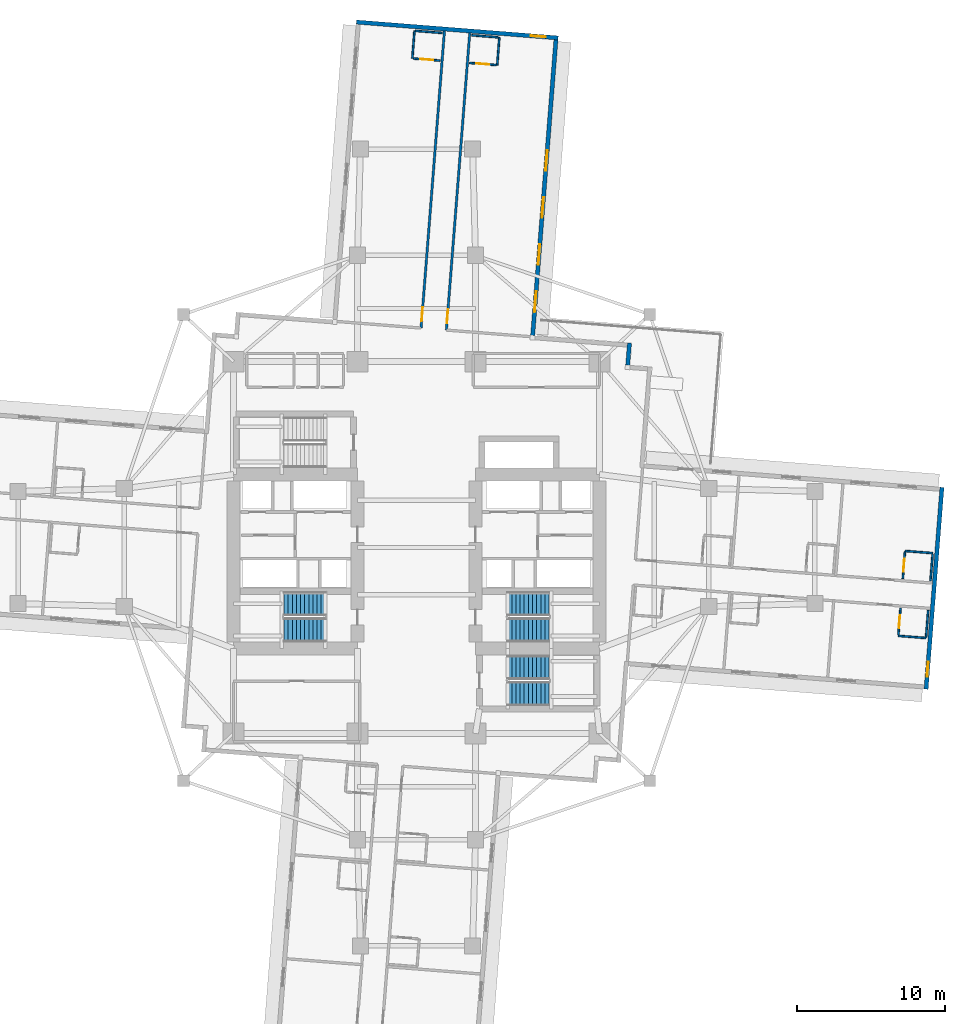
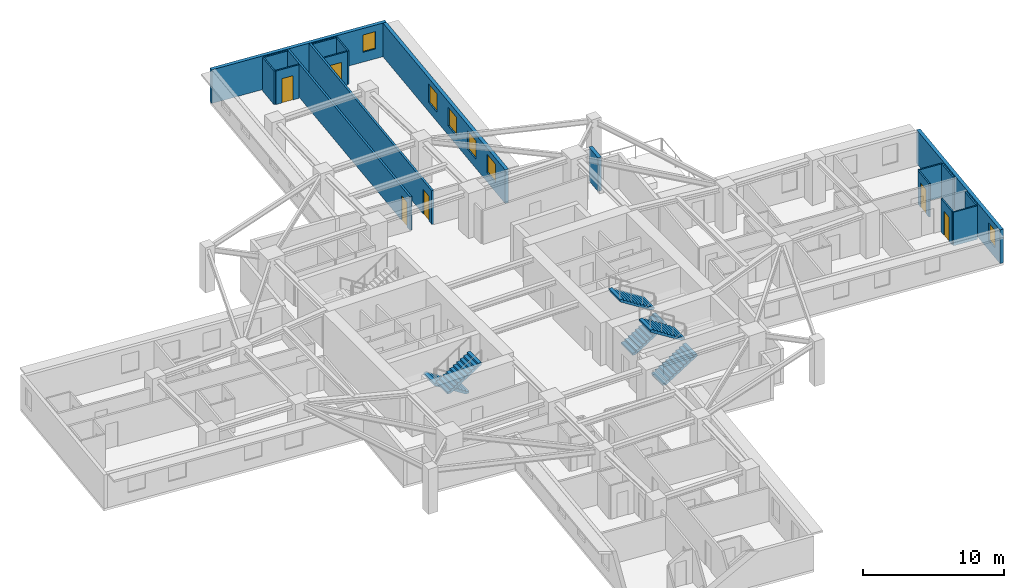
# One storey, part 8 of 14: 18 walls, 6 doors, 6 stair flights, 6 windows, 12 openings, 3 elements without a shape of their own.
"""IFC4 building model written with IfcOpenShell, lengths in metres."""

from ifc_helpers import new_model, si_unit, direction, frame, frame_2d, origin, place, context, subcontext, project, spatial, polyline, rectangle, outline, extrude, material, layer, layer_set, type_object, element, fill, aggregate, save


model = new_model("IFC4")

# Units and contexts
model_context = context("Model", 3, precision=1e-05, world=origin(), true_north=direction((0.0, 1.0)))
body_context = subcontext(model_context, "Body", "Model", "MODEL_VIEW")
ifc_project = project(units=[si_unit("LENGTHUNIT", "METRE"), si_unit("AREAUNIT", "SQUARE_METRE"), si_unit("VOLUMEUNIT", "CUBIC_METRE"), si_unit("PLANEANGLEUNIT", "RADIAN"), si_unit("MASSUNIT", "GRAM", prefix="KILO")], contexts=[model_context])

# Site, building, storey
site_placement = place(None, origin())
site = spatial("IfcSite", under=ifc_project, at=site_placement, CompositionType="ELEMENT")
building_placement = place(site_placement, origin())
building = spatial("IfcBuilding", under=site, at=building_placement, Name="Qingluan Cross Belvedere", CompositionType="ELEMENT")
storey_placement = place(building_placement, frame((0.0, 0.0, 83.39990234375)))
storey = spatial("IfcBuildingStorey", under=building, at=storey_placement, Name="L21", CompositionType="ELEMENT", Elevation=83.39990234375)

# Wall, opening, door
ifc_material_1 = material(Name="Gypsum plasterboard on steel stud acoustic partition", Category="steel")
ifc_layer_1 = layer(ifc_material_1, 0.159912109375, Name="CorridorPartition_160")
ifc_layer_set_1 = layer_set([ifc_layer_1], Name="Gypsum plasterboard on steel stud acoustic partition")
wall_type_1 = type_object("IfcWallType", Name="CorridorPartition_160", PredefinedType="PARTITIONING", material=ifc_layer_set_1)
wall_1_placement = place(storey_placement, frame((2.0224609375, 14.73681640625, 0.0), z_axis=(0.0, 0.0, 1.0), x_axis=(0.078461408156, 0.996917151738, 0.0)))
wall_1 = element("IfcWall", 1, at=wall_1_placement, inside=storey, type_object=wall_type_1, Name="Partition L21:N:c0", PredefinedType="PARTITIONING", context=body_context, shape_type="SweptSolid", body=[
    extrude(rectangle(XDim=20.181884765625, YDim=0.159912109375, at=frame_2d((10.0908203125, 0.0))), origin(), (0.0, 0.0, 1.0), 2.900146484375),
])
opening_1_placement = place(wall_1_placement, frame((0.449951171875, 0.0, 0.0)))
opening_1 = element("IfcOpeningElement", 2, at=opening_1_placement, cuts=wall_1, Name="Opening GD-10", PredefinedType="OPENING", context=body_context, shape_type="SweptSolid", body=[
    extrude(rectangle(XDim=0.9599609375, YDim=2.14990234375, at=frame_2d((0.47998046875, 1.074951171875))), frame((0.0, 0.08984375, 0.0), z_axis=(0.0, -1.0, 0.0), x_axis=(1.0, 0.0, 0.0)), (0.0, 0.0, 1.0), 0.179931640625),
])
ifc_material_2 = material(Name="Timber oak fire-rated acoustic guestroom door", Category="wood")
door_type_1 = type_object("IfcDoorType", Name="GuestEntryDoor_FD60", OperationType="NOTDEFINED", PredefinedType="DOOR", material=ifc_material_2)
door_1_placement = place(opening_1_placement, origin())
door_1 = element("IfcDoor", 3, at=door_1_placement, inside=storey, type_object=door_type_1, Name="Guest entry fire door 2111", OperationType="SINGLE_SWING_LEFT", OverallHeight=2.14990234375, OverallWidth=0.9599609375, PredefinedType="DOOR", context=body_context, shape_type="SweptSolid", body=[
    extrude(rectangle(XDim=0.9599609375, YDim=2.14990234375, at=frame_2d((0.47998046875, 1.074951171875))), frame((0.0, 0.02490234375, 0.0), z_axis=(0.0, -1.0, 0.0), x_axis=(1.0, 0.0, 0.0)), (0.0, 0.0, 1.0), 0.050048828125),
])
fill(opening_1, door_1)

wall_2_placement = place(storey_placement, frame((0.307861328125, 14.87158203125, 0.0), z_axis=(0.0, 0.0, 1.0), x_axis=(0.0784484395, 0.996918172339, 0.0)))
wall_2 = element("IfcWall", 4, at=wall_2_placement, inside=storey, type_object=wall_type_1, Name="Partition L21:N:c1", PredefinedType="PARTITIONING", context=body_context, shape_type="SweptSolid", body=[
    extrude(rectangle(XDim=20.18212890625, YDim=0.159912109375, at=frame_2d((10.091064453125, 0.0))), origin(), (0.0, 0.0, 1.0), 2.900146484375),
])
opening_2_placement = place(wall_2_placement, frame((0.449951171875, 0.0, 0.0)))
opening_2 = element("IfcOpeningElement", 5, at=opening_2_placement, cuts=wall_2, Name="Opening GD-10", PredefinedType="OPENING", context=body_context, shape_type="SweptSolid", body=[
    extrude(rectangle(XDim=0.9599609375, YDim=2.14990234375, at=frame_2d((0.47998046875, 1.074951171875))), frame((0.0, 0.08984375, 0.0), z_axis=(0.0, -1.0, 0.0), x_axis=(1.0, 0.0, 0.0)), (0.0, 0.0, 1.0), 0.179931640625),
])
door_2_placement = place(opening_2_placement, origin())
door_2 = element("IfcDoor", 6, at=door_2_placement, inside=storey, type_object=door_type_1, Name="Guest entry fire door 2112", OperationType="SINGLE_SWING_LEFT", OverallHeight=2.14990234375, OverallWidth=0.9599609375, PredefinedType="DOOR", context=body_context, shape_type="SweptSolid", body=[
    extrude(rectangle(XDim=0.9599609375, YDim=2.14990234375, at=frame_2d((0.47998046875, 1.074951171875))), frame((0.0, 0.02490234375, 0.0), z_axis=(0.0, -1.0, 0.0), x_axis=(1.0, 0.0, 0.0)), (0.0, 0.0, 1.0), 0.050048828125),
])
fill(opening_2, door_2)

ifc_material_3 = material(Name="Moisture-resistant gypsum board lining")
ifc_layer_2 = layer(ifc_material_3, 0.1201171875, Name="EnsuiteWetPartition_120")
ifc_layer_set_2 = layer_set([ifc_layer_2], Name="Moisture-resistant gypsum board lining")
wall_type_2 = type_object("IfcWallType", Name="EnsuiteWetPartition_120", PredefinedType="PARTITIONING", material=ifc_layer_set_2)
wall_3_placement = place(storey_placement, frame((32.955810546875, -2.1123046875, 0.0), z_axis=(0.0, 0.0, 1.0), x_axis=(0.0784709492, 0.996916400774, 0.0)))
wall_3 = element("IfcWall", 7, at=wall_3_placement, inside=storey, type_object=wall_type_2, Name="Partition L21:E:bs0_2", PredefinedType="PARTITIONING", context=body_context, shape_type="SweptSolid", body=[
    extrude(rectangle(XDim=1.820068359375, YDim=0.1201171875, at=frame_2d((0.91015625, 0.0))), origin(), (0.0, 0.0, 1.0), 2.900146484375),
])
opening_3_placement = place(wall_3_placement, frame((0.469970703125, 0.0, 0.0)))
opening_3 = element("IfcOpeningElement", 8, at=opening_3_placement, cuts=wall_3, Name="Opening BD-09", PredefinedType="OPENING", context=body_context, shape_type="SweptSolid", body=[
    extrude(rectangle(XDim=0.8798828125, YDim=2.10009765625, at=frame_2d((0.43994140625, 1.050048828125))), frame((0.0, 0.070068359375, 0.0), z_axis=(0.0, -1.0, 0.0), x_axis=(1.0, 0.0, 0.0)), (0.0, 0.0, 1.0), 0.14013671875),
])
ifc_material_4 = material(Name="Moisture-sealed timber en-suite door", Category="wood")
door_type_2 = type_object("IfcDoorType", Name="BathroomDoor_880", OperationType="NOTDEFINED", PredefinedType="DOOR", material=ifc_material_4)
door_3_placement = place(opening_3_placement, origin())
door_3 = element("IfcDoor", 9, at=door_3_placement, inside=storey, type_object=door_type_2, Name="Bathroom door 2103", OperationType="SINGLE_SWING_RIGHT", OverallHeight=2.10009765625, OverallWidth=0.8798828125, PredefinedType="DOOR", context=body_context, shape_type="SweptSolid", body=[
    extrude(rectangle(XDim=0.8798828125, YDim=2.10009765625, at=frame_2d((0.43994140625, 1.050048828125))), frame((0.0, 0.02490234375, 0.0), z_axis=(0.0, -1.0, 0.0), x_axis=(1.0, 0.0, 0.0)), (0.0, 0.0, 1.0), 0.050048828125),
])
fill(opening_3, door_3)

# Walls
wall_4_placement = place(storey_placement, frame((34.830078125, -2.259765625, 0.0), z_axis=(0.0, 0.0, 1.0), x_axis=(0.0784709492, 0.996916400774, 0.0)))
element("IfcWall", 10, at=wall_4_placement, inside=storey, type_object=wall_type_2, Name="Partition L21:E:bw0_2", PredefinedType="PARTITIONING", context=body_context, shape_type="SweptSolid", body=[
    extrude(rectangle(XDim=1.820068359375, YDim=0.1201171875, at=frame_2d((0.91015625, 0.0))), origin(), (0.0, 0.0, 1.0), 2.900146484375),
])
wall_5_placement = place(storey_placement, frame((33.103759765625, -0.23291015625, 0.0), z_axis=(0.0, 0.0, 1.0), x_axis=(0.996909131608, -0.078563244057, 0.0)))
element("IfcWall", 11, at=wall_5_placement, inside=storey, type_object=wall_type_2, Name="Partition L21:E:bn0_2", PredefinedType="PARTITIONING", context=body_context, shape_type="SweptSolid", body=[
    extrude(rectangle(XDim=1.880126953125, YDim=0.1201171875, at=frame_2d((0.93994140625, 0.0))), origin(), (0.0, 0.0, 1.0), 2.900146484375),
])

# Wall, opening, door
wall_6_placement = place(storey_placement, frame((32.65625, -5.92041015625, 0.0), z_axis=(0.0, 0.0, 1.0), x_axis=(0.0784709492, 0.996916400774, 0.0)))
wall_6 = element("IfcWall", 12, at=wall_6_placement, inside=storey, type_object=wall_type_2, Name="Partition L21:E:bs1_2", PredefinedType="PARTITIONING", context=body_context, shape_type="SweptSolid", body=[
    extrude(rectangle(XDim=1.820068359375, YDim=0.1201171875, at=frame_2d((0.91015625, 0.0))), origin(), (0.0, 0.0, 1.0), 2.900146484375),
])
opening_4_placement = place(wall_6_placement, frame((0.469970703125, 0.0, 0.0)))
opening_4 = element("IfcOpeningElement", 13, at=opening_4_placement, cuts=wall_6, Name="Opening BD-09", PredefinedType="OPENING", context=body_context, shape_type="SweptSolid", body=[
    extrude(rectangle(XDim=0.8798828125, YDim=2.10009765625, at=frame_2d((0.43994140625, 1.050048828125))), frame((0.0, 0.070068359375, 0.0), z_axis=(0.0, -1.0, 0.0), x_axis=(1.0, 0.0, 0.0)), (0.0, 0.0, 1.0), 0.14013671875),
])
door_4_placement = place(opening_4_placement, origin())
door_4 = element("IfcDoor", 14, at=door_4_placement, inside=storey, type_object=door_type_2, Name="Bathroom door 2106", OperationType="SINGLE_SWING_RIGHT", OverallHeight=2.10009765625, OverallWidth=0.8798828125, PredefinedType="DOOR", context=body_context, shape_type="SweptSolid", body=[
    extrude(rectangle(XDim=0.8798828125, YDim=2.10009765625, at=frame_2d((0.43994140625, 1.050048828125))), frame((0.0, 0.02490234375, 0.0), z_axis=(0.0, -1.0, 0.0), x_axis=(1.0, 0.0, 0.0)), (0.0, 0.0, 1.0), 0.050048828125),
])
fill(opening_4, door_4)

# Walls
wall_7_placement = place(storey_placement, frame((34.530517578125, -6.06787109375, 0.0), z_axis=(0.0, 0.0, 1.0), x_axis=(0.078337634704, 0.996926885478, 0.0)))
element("IfcWall", 15, at=wall_7_placement, inside=storey, type_object=wall_type_2, Name="Partition L21:E:bw1_2", PredefinedType="PARTITIONING", context=body_context, shape_type="SweptSolid", body=[
    extrude(rectangle(XDim=1.820068359375, YDim=0.1201171875, at=frame_2d((0.91015625, 0.0))), origin(), (0.0, 0.0, 1.0), 2.900146484375),
])
wall_8_placement = place(storey_placement, frame((32.651123046875, -5.985107421875, 0.0), z_axis=(0.0, 0.0, 1.0), x_axis=(0.996909131608, -0.078563244057, 0.0)))
element("IfcWall", 16, at=wall_8_placement, inside=storey, type_object=wall_type_2, Name="Partition L21:E:bc1_2", PredefinedType="PARTITIONING", context=body_context, shape_type="SweptSolid", body=[
    extrude(rectangle(XDim=1.880126953125, YDim=0.1201171875, at=frame_2d((0.93994140625, 0.0))), origin(), (0.0, 0.0, 1.0), 2.900146484375),
])

# Wall, opening, door
wall_9_placement = place(storey_placement, frame((3.587646484375, 32.83984375, 0.0), z_axis=(0.0, 0.0, 1.0), x_axis=(0.996916400774, -0.0784709492, 0.0)))
wall_9 = element("IfcWall", 17, at=wall_9_placement, inside=storey, type_object=wall_type_2, Name="Partition L21:N:bs0_0", PredefinedType="PARTITIONING", context=body_context, shape_type="SweptSolid", body=[
    extrude(rectangle(XDim=1.820068359375, YDim=0.1201171875, at=frame_2d((0.91015625, 0.0))), origin(), (0.0, 0.0, 1.0), 2.900146484375),
])
opening_5_placement = place(wall_9_placement, frame((0.469970703125, 0.0, 0.0)))
opening_5 = element("IfcOpeningElement", 18, at=opening_5_placement, cuts=wall_9, Name="Opening BD-09", PredefinedType="OPENING", context=body_context, shape_type="SweptSolid", body=[
    extrude(rectangle(XDim=0.8798828125, YDim=2.10009765625, at=frame_2d((0.43994140625, 1.050048828125))), frame((0.0, 0.070068359375, 0.0), z_axis=(0.0, -1.0, 0.0), x_axis=(1.0, 0.0, 0.0)), (0.0, 0.0, 1.0), 0.14013671875),
])
door_5_placement = place(opening_5_placement, origin())
door_5 = element("IfcDoor", 19, at=door_5_placement, inside=storey, type_object=door_type_2, Name="Bathroom door 2111", OperationType="SINGLE_SWING_RIGHT", OverallHeight=2.10009765625, OverallWidth=0.8798828125, PredefinedType="DOOR", context=body_context, shape_type="SweptSolid", body=[
    extrude(rectangle(XDim=0.8798828125, YDim=2.10009765625, at=frame_2d((0.43994140625, 1.050048828125))), frame((0.0, 0.02490234375, 0.0), z_axis=(0.0, -1.0, 0.0), x_axis=(1.0, 0.0, 0.0)), (0.0, 0.0, 1.0), 0.050048828125),
])
fill(opening_5, door_5)

# Walls
wall_10_placement = place(storey_placement, frame((3.735107421875, 34.714111328125, 0.0), z_axis=(0.0, 0.0, 1.0), x_axis=(0.996916400774, -0.0784709492, 0.0)))
element("IfcWall", 20, at=wall_10_placement, inside=storey, type_object=wall_type_2, Name="Partition L21:N:bw0_0", PredefinedType="PARTITIONING", context=body_context, shape_type="SweptSolid", body=[
    extrude(rectangle(XDim=1.820068359375, YDim=0.1201171875, at=frame_2d((0.91015625, 0.0))), origin(), (0.0, 0.0, 1.0), 2.900146484375),
])
wall_11_placement = place(storey_placement, frame((5.466796875, 32.69189453125, 0.0), z_axis=(0.0, 0.0, 1.0), x_axis=(0.07843418698, 0.996919293781, 0.0)))
element("IfcWall", 21, at=wall_11_placement, inside=storey, type_object=wall_type_2, Name="Partition L21:N:bn0_0", PredefinedType="PARTITIONING", context=body_context, shape_type="SweptSolid", body=[
    extrude(rectangle(XDim=1.880126953125, YDim=0.1201171875, at=frame_2d((0.93994140625, 0.0))), origin(), (0.0, 0.0, 1.0), 2.900146484375),
])

# Wall, opening, door
wall_12_placement = place(storey_placement, frame((-0.220703125, 33.139404296875, 0.0), z_axis=(0.0, 0.0, 1.0), x_axis=(0.996916400774, -0.0784709492, 0.0)))
wall_12 = element("IfcWall", 22, at=wall_12_placement, inside=storey, type_object=wall_type_2, Name="Partition L21:N:bs1_0", PredefinedType="PARTITIONING", context=body_context, shape_type="SweptSolid", body=[
    extrude(rectangle(XDim=1.820068359375, YDim=0.1201171875, at=frame_2d((0.91015625, 0.0))), origin(), (0.0, 0.0, 1.0), 2.900146484375),
])
opening_6_placement = place(wall_12_placement, frame((0.469970703125, 0.0, 0.0)))
opening_6 = element("IfcOpeningElement", 23, at=opening_6_placement, cuts=wall_12, Name="Opening BD-09", PredefinedType="OPENING", context=body_context, shape_type="SweptSolid", body=[
    extrude(rectangle(XDim=0.8798828125, YDim=2.10009765625, at=frame_2d((0.43994140625, 1.050048828125))), frame((0.0, 0.070068359375, 0.0), z_axis=(0.0, -1.0, 0.0), x_axis=(1.0, 0.0, 0.0)), (0.0, 0.0, 1.0), 0.14013671875),
])
door_6_placement = place(opening_6_placement, origin())
door_6 = element("IfcDoor", 24, at=door_6_placement, inside=storey, type_object=door_type_2, Name="Bathroom door 2112", OperationType="SINGLE_SWING_RIGHT", OverallHeight=2.10009765625, OverallWidth=0.8798828125, PredefinedType="DOOR", context=body_context, shape_type="SweptSolid", body=[
    extrude(rectangle(XDim=0.8798828125, YDim=2.10009765625, at=frame_2d((0.43994140625, 1.050048828125))), frame((0.0, 0.02490234375, 0.0), z_axis=(0.0, -1.0, 0.0), x_axis=(1.0, 0.0, 0.0)), (0.0, 0.0, 1.0), 0.050048828125),
])
fill(opening_6, door_6)

# Walls
wall_13_placement = place(storey_placement, frame((-0.072998046875, 35.013671875, 0.0), z_axis=(0.0, 0.0, 1.0), x_axis=(0.996915574626, -0.078481444107, 0.0)))
element("IfcWall", 25, at=wall_13_placement, inside=storey, type_object=wall_type_2, Name="Partition L21:N:bw1_0", PredefinedType="PARTITIONING", context=body_context, shape_type="SweptSolid", body=[
    extrude(rectangle(XDim=1.81982421875, YDim=0.1201171875, at=frame_2d((0.909912109375, 0.0))), origin(), (0.0, 0.0, 1.0), 2.900146484375),
])
wall_14_placement = place(storey_placement, frame((-0.285400390625, 33.14453125, 0.0), z_axis=(0.0, 0.0, 1.0), x_axis=(0.07843418698, 0.996919293781, 0.0)))
element("IfcWall", 26, at=wall_14_placement, inside=storey, type_object=wall_type_2, Name="Partition L21:N:bc1_0", PredefinedType="PARTITIONING", context=body_context, shape_type="SweptSolid", body=[
    extrude(rectangle(XDim=1.880126953125, YDim=0.1201171875, at=frame_2d((0.93994140625, 0.0))), origin(), (0.0, 0.0, 1.0), 2.900146484375),
])

# Wall, opening, window
ifc_material_5 = material(Name="Precast concrete C45", Category="concrete")
ifc_layer_3 = layer(ifc_material_5, 0.280029296875, Name="PrecastFacadeWall_280")
ifc_layer_set_3 = layer_set([ifc_layer_3], Name="Precast concrete C45")
wall_type_3 = type_object("IfcWallType", Name="PrecastFacadeWall_280", PredefinedType="STANDARD", material=ifc_layer_set_3)
wall_15_placement = place(storey_placement, frame((34.533203125, -9.59912109375, 0.0), z_axis=(0.0, 0.0, 1.0), x_axis=(0.078473519122, 0.996916198482, 0.0)))
wall_15 = element("IfcWall", 27, at=wall_15_placement, inside=storey, type_object=wall_type_3, Name="Arm tip precast facade wall L21-E", PredefinedType="STANDARD", context=body_context, shape_type="SweptSolid", body=[
    extrude(rectangle(XDim=13.719970703125, YDim=0.280029296875, at=frame_2d((6.85986328125, 0.0))), origin(), (0.0, 0.0, 1.0), 2.91015625),
])
opening_7_placement = place(wall_15_placement, frame((0.85009765625, 0.0, 0.85009765625)))
opening_7 = element("IfcOpeningElement", 28, at=opening_7_placement, cuts=wall_15, Name="Opening W-03", PredefinedType="OPENING", context=body_context, shape_type="SweptSolid", body=[
    extrude(rectangle(XDim=1.0, YDim=1.5, at=frame_2d((0.5, 0.75))), frame((0.0, 0.14990234375, 0.0), z_axis=(0.0, -1.0, 0.0), x_axis=(1.0, 0.0, 0.0)), (0.0, 0.0, 1.0), 0.300048828125),
])
ifc_material_6 = material(Name="Thermally broken triple Low-E glass in aluminium frame", Category="aluminium")
window_type_1 = type_object("IfcWindowType", Name="TriApexWin_1000x1500", PartitioningType="SINGLE_PANEL", PredefinedType="WINDOW", material=ifc_material_6)
window_1_placement = place(opening_7_placement, origin())
window_1 = element("IfcWindow", 29, at=window_1_placement, inside=storey, type_object=window_type_1, Name="Arm tip triangular window L21-E", OverallHeight=1.5, OverallWidth=1.0, PartitioningType="SINGLE_PANEL", PredefinedType="WINDOW", context=body_context, shape_type="SweptSolid", body=[
    extrude(rectangle(XDim=1.0, YDim=1.5, at=frame_2d((0.5, 0.75))), frame((0.0, 0.030029296875, 0.0), z_axis=(0.0, -1.0, 0.0), x_axis=(1.0, 0.0, 0.0)), (0.0, 0.0, 1.0), 0.06005859375),
])
fill(opening_7, window_1)

# Wall, openings, windows
wall_16_placement = place(storey_placement, frame((7.87158203125, 14.36669921875, 0.0), z_axis=(0.0, 0.0, 1.0), x_axis=(0.078452802979, 0.996917828963, 0.0)))
wall_16 = element("IfcWall", 30, at=wall_16_placement, inside=storey, type_object=wall_type_3, Name="Facade wall L21-NA", PredefinedType="STANDARD", context=body_context, shape_type="SweptSolid", body=[
    extrude(rectangle(XDim=20.10009765625, YDim=0.280029296875, at=frame_2d((10.050048828125, 0.0))), origin(), (0.0, 0.0, 1.0), 2.91015625),
])
opening_8_placement = place(wall_16_placement, frame((1.60009765625, 0.0, 0.800048828125)))
opening_8 = element("IfcOpeningElement", 31, at=opening_8_placement, cuts=wall_16, Name="Opening W-01", PredefinedType="OPENING", context=body_context, shape_type="SweptSolid", body=[
    extrude(rectangle(XDim=1.39990234375, YDim=1.60009765625, at=frame_2d((0.699951171875, 0.800048828125))), frame((0.0, 0.14990234375, 0.0), z_axis=(0.0, -1.0, 0.0), x_axis=(1.0, 0.0, 0.0)), (0.0, 0.0, 1.0), 0.300048828125),
])
opening_9_placement = place(wall_16_placement, frame((4.800048828125, 0.0, 0.800048828125)))
opening_9 = element("IfcOpeningElement", 32, at=opening_9_placement, cuts=wall_16, Name="Opening W-01", PredefinedType="OPENING", context=body_context, shape_type="SweptSolid", body=[
    extrude(rectangle(XDim=1.39990234375, YDim=1.60009765625, at=frame_2d((0.699951171875, 0.800048828125))), frame((0.0, 0.14990234375, 0.0), z_axis=(0.0, -1.0, 0.0), x_axis=(1.0, 0.0, 0.0)), (0.0, 0.0, 1.0), 0.300048828125),
])
opening_10_placement = place(wall_16_placement, frame((8.0, 0.0, 0.800048828125)))
opening_10 = element("IfcOpeningElement", 33, at=opening_10_placement, cuts=wall_16, Name="Opening W-01", PredefinedType="OPENING", context=body_context, shape_type="SweptSolid", body=[
    extrude(rectangle(XDim=1.39990234375, YDim=1.60009765625, at=frame_2d((0.699951171875, 0.800048828125))), frame((0.0, 0.14990234375, 0.0), z_axis=(0.0, -1.0, 0.0), x_axis=(1.0, 0.0, 0.0)), (0.0, 0.0, 1.0), 0.300048828125),
])
opening_11_placement = place(wall_16_placement, frame((11.199951171875, 0.0, 0.800048828125)))
opening_11 = element("IfcOpeningElement", 34, at=opening_11_placement, cuts=wall_16, Name="Opening W-01", PredefinedType="OPENING", context=body_context, shape_type="SweptSolid", body=[
    extrude(rectangle(XDim=1.39990234375, YDim=1.60009765625, at=frame_2d((0.699951171875, 0.800048828125))), frame((0.0, 0.14990234375, 0.0), z_axis=(0.0, -1.0, 0.0), x_axis=(1.0, 0.0, 0.0)), (0.0, 0.0, 1.0), 0.300048828125),
])
ifc_material_7 = material(Name="Thermally broken triple Low-E glass in aluminium frame", Category="aluminium")
window_type_2 = type_object("IfcWindowType", Name="TriRibbonWin_1400x1600", PartitioningType="SINGLE_PANEL", PredefinedType="WINDOW", material=ifc_material_7)
window_2_placement = place(opening_8_placement, origin())
window_2 = element("IfcWindow", 35, at=window_2_placement, inside=storey, type_object=window_type_2, Name="Ribbon window L21-NA-1", OverallHeight=1.60009765625, OverallWidth=1.39990234375, PartitioningType="SINGLE_PANEL", PredefinedType="WINDOW", context=body_context, shape_type="SweptSolid", body=[
    extrude(rectangle(XDim=1.39990234375, YDim=1.60009765625, at=frame_2d((0.699951171875, 0.800048828125))), frame((0.0, 0.030029296875, 0.0), z_axis=(0.0, -1.0, 0.0), x_axis=(1.0, 0.0, 0.0)), (0.0, 0.0, 1.0), 0.06005859375),
])
fill(opening_8, window_2)
window_3_placement = place(opening_9_placement, origin())
window_3 = element("IfcWindow", 36, at=window_3_placement, inside=storey, type_object=window_type_2, Name="Ribbon window L21-NA-2", OverallHeight=1.60009765625, OverallWidth=1.39990234375, PartitioningType="SINGLE_PANEL", PredefinedType="WINDOW", context=body_context, shape_type="SweptSolid", body=[
    extrude(rectangle(XDim=1.39990234375, YDim=1.60009765625, at=frame_2d((0.699951171875, 0.800048828125))), frame((0.0, 0.030029296875, 0.0), z_axis=(0.0, -1.0, 0.0), x_axis=(1.0, 0.0, 0.0)), (0.0, 0.0, 1.0), 0.06005859375),
])
fill(opening_9, window_3)
window_4_placement = place(opening_10_placement, origin())
window_4 = element("IfcWindow", 37, at=window_4_placement, inside=storey, type_object=window_type_2, Name="Ribbon window L21-NA-3", OverallHeight=1.60009765625, OverallWidth=1.39990234375, PartitioningType="SINGLE_PANEL", PredefinedType="WINDOW", context=body_context, shape_type="SweptSolid", body=[
    extrude(rectangle(XDim=1.39990234375, YDim=1.60009765625, at=frame_2d((0.699951171875, 0.800048828125))), frame((0.0, 0.030029296875, 0.0), z_axis=(0.0, -1.0, 0.0), x_axis=(1.0, 0.0, 0.0)), (0.0, 0.0, 1.0), 0.06005859375),
])
fill(opening_10, window_4)
window_5_placement = place(opening_11_placement, origin())
window_5 = element("IfcWindow", 38, at=window_5_placement, inside=storey, type_object=window_type_2, Name="Ribbon window L21-NA-4", OverallHeight=1.60009765625, OverallWidth=1.39990234375, PartitioningType="SINGLE_PANEL", PredefinedType="WINDOW", context=body_context, shape_type="SweptSolid", body=[
    extrude(rectangle(XDim=1.39990234375, YDim=1.60009765625, at=frame_2d((0.699951171875, 0.800048828125))), frame((0.0, 0.030029296875, 0.0), z_axis=(0.0, -1.0, 0.0), x_axis=(1.0, 0.0, 0.0)), (0.0, 0.0, 1.0), 0.06005859375),
])
fill(opening_11, window_5)

# Wall, opening, window
wall_17_placement = place(storey_placement, frame((9.59912109375, 34.533203125, 0.0), z_axis=(0.0, 0.0, 1.0), x_axis=(-0.996916198482, 0.078473519122, 0.0)))
wall_17 = element("IfcWall", 39, at=wall_17_placement, inside=storey, type_object=wall_type_3, Name="Arm tip precast facade wall L21-N", PredefinedType="STANDARD", context=body_context, shape_type="SweptSolid", body=[
    extrude(rectangle(XDim=13.719970703125, YDim=0.280029296875, at=frame_2d((6.85986328125, 0.0))), origin(), (0.0, 0.0, 1.0), 2.91015625),
])
opening_12_placement = place(wall_17_placement, frame((0.85009765625, 0.0, 0.85009765625)))
opening_12 = element("IfcOpeningElement", 40, at=opening_12_placement, cuts=wall_17, Name="Opening W-03", PredefinedType="OPENING", context=body_context, shape_type="SweptSolid", body=[
    extrude(rectangle(XDim=1.0, YDim=1.5, at=frame_2d((0.5, 0.75))), frame((0.0, 0.14990234375, 0.0), z_axis=(0.0, -1.0, 0.0), x_axis=(1.0, 0.0, 0.0)), (0.0, 0.0, 1.0), 0.300048828125),
])
window_6_placement = place(opening_12_placement, origin())
window_6 = element("IfcWindow", 41, at=window_6_placement, inside=storey, type_object=window_type_1, Name="Arm tip triangular window L21-N", OverallHeight=1.5, OverallWidth=1.0, PartitioningType="SINGLE_PANEL", PredefinedType="WINDOW", context=body_context, shape_type="SweptSolid", body=[
    extrude(rectangle(XDim=1.0, YDim=1.5, at=frame_2d((0.5, 0.75))), frame((0.0, 0.030029296875, 0.0), z_axis=(0.0, -1.0, 0.0), x_axis=(1.0, 0.0, 0.0)), (0.0, 0.0, 1.0), 0.06005859375),
])
fill(opening_12, window_6)

# Wall
wall_18_placement = place(storey_placement, frame((14.3134765625, 12.35498046875, 0.0), z_axis=(0.0, 0.0, 1.0), x_axis=(0.078451338629, 0.9969179442, 0.0)))
element("IfcWall", 42, at=wall_18_placement, inside=storey, type_object=wall_type_3, Name="Corner wall L21-NE3", PredefinedType="STANDARD", context=body_context, shape_type="SweptSolid", body=[
    extrude(rectangle(XDim=1.5, YDim=0.280029296875, at=frame_2d((0.75, 0.0))), origin(), (0.0, 0.0, 1.0), 2.91015625),
])

# Stair, stair flights
ifc_material_8 = material(Name="Concrete C40", Category="concrete")
stair_type = type_object("IfcStairType", Name="CoreDoglegStair_1620", PredefinedType="HALF_TURN_STAIR", material=ifc_material_8)
stair_1_placement = place(storey_placement, origin())
stair_1 = element("IfcStair", 43, at=stair_1_placement, inside=storey, type_object=stair_type, Name="L21 ST1", PredefinedType="HALF_TURN_STAIR")
ifc_material_9 = material(Name="Concrete C40", Category="concrete")
ifc_layer_4 = layer(ifc_material_9, 0.179931640625, Name="StairFlight_RC180")
ifc_layer_set_4 = layer_set([ifc_layer_4], Name="Concrete C40")
stair_flight_type = type_object("IfcStairFlightType", Name="StairFlight_RC180", PredefinedType="STRAIGHT", material=ifc_layer_set_4)
stair_flight_1_placement = place(storey_placement, frame((-6.179931640625, -3.81005859375, 0.0), z_axis=(0.0, 0.0, 1.0), x_axis=(-1.0, 0.0, 0.0)))
stair_flight_1 = element("IfcStairFlight", 44, at=stair_flight_1_placement, type_object=stair_flight_type, Name="ST1 flight 1", NumberOfRisers=11, NumberOfTreads=10, PredefinedType="STRAIGHT", RiserHeight=0.177272727, TreadLength=0.28, context=body_context, shape_type="SweptSolid", body=[
    extrude(outline(polyline([(0.0, 0.0), (0.0, 0.17724609375), (0.280029296875, 0.17724609375), (0.280029296875, 0.3544921875), (0.56005859375, 0.3544921875), (0.56005859375, 0.53173828125), (0.840087890625, 0.53173828125), (0.840087890625, 0.708984375), (1.1201171875, 0.708984375), (1.1201171875, 0.886474609375), (1.39990234375, 0.886474609375), (1.39990234375, 1.063720703125), (1.679931640625, 1.063720703125), (1.679931640625, 1.240966796875), (1.9599609375, 1.240966796875), (1.9599609375, 1.418212890625), (2.239990234375, 1.418212890625), (2.239990234375, 1.595458984375), (2.52001953125, 1.595458984375), (2.52001953125, 1.772705078125), (2.800048828125, 1.772705078125), (2.800048828125, 1.949951171875), (2.800048828125, 1.59521484375), (0.2802734375, 0.0), (0.0, 0.0)])), frame((0.0, 0.81005859375, 0.0), z_axis=(0.0, -1.0, 0.0), x_axis=(1.0, 0.0, 0.0)), (0.0, 0.0, 1.0), 1.6201171875),
])
stair_flight_2_placement = place(storey_placement, frame((-8.97998046875, -5.590087890625, 1.9501953125), z_axis=(0.0, 0.0, 1.0), x_axis=(1.0, 0.0, 0.0)))
stair_flight_2 = element("IfcStairFlight", 45, at=stair_flight_2_placement, type_object=stair_flight_type, Name="ST1 flight 2", NumberOfRisers=11, NumberOfTreads=10, PredefinedType="STRAIGHT", RiserHeight=0.177272727, TreadLength=0.28, context=body_context, shape_type="SweptSolid", body=[
    extrude(outline(polyline([(0.0, 0.0), (0.0, 0.17724609375), (0.280029296875, 0.17724609375), (0.280029296875, 0.3544921875), (0.56005859375, 0.3544921875), (0.56005859375, 0.53173828125), (0.840087890625, 0.53173828125), (0.840087890625, 0.708984375), (1.1201171875, 0.708984375), (1.1201171875, 0.886474609375), (1.39990234375, 0.886474609375), (1.39990234375, 1.063720703125), (1.679931640625, 1.063720703125), (1.679931640625, 1.240966796875), (1.9599609375, 1.240966796875), (1.9599609375, 1.418212890625), (2.239990234375, 1.418212890625), (2.239990234375, 1.595458984375), (2.52001953125, 1.595458984375), (2.52001953125, 1.772705078125), (2.800048828125, 1.772705078125), (2.800048828125, 1.949951171875), (2.800048828125, 1.59521484375), (0.2802734375, 0.0), (0.0, 0.0)])), frame((0.0, 0.81005859375, 0.0), z_axis=(0.0, -1.0, 0.0), x_axis=(1.0, 0.0, 0.0)), (0.0, 0.0, 1.0), 1.6201171875),
])
aggregate(stair_1, [stair_flight_1, stair_flight_2])

stair_2_placement = place(storey_placement, origin())
stair_2 = element("IfcStair", 46, at=stair_2_placement, inside=storey, type_object=stair_type, Name="L21 ST2", PredefinedType="HALF_TURN_STAIR")
stair_flight_3_placement = place(storey_placement, frame((6.179931640625, -5.590087890625, 0.0), z_axis=(0.0, 0.0, 1.0), x_axis=(1.0, 0.0, 0.0)))
stair_flight_3 = element("IfcStairFlight", 47, at=stair_flight_3_placement, type_object=stair_flight_type, Name="ST2 flight 1", NumberOfRisers=11, NumberOfTreads=10, PredefinedType="STRAIGHT", RiserHeight=0.177272727, TreadLength=0.28, context=body_context, shape_type="SweptSolid", body=[
    extrude(outline(polyline([(0.0, 0.0), (0.0, 0.17724609375), (0.280029296875, 0.17724609375), (0.280029296875, 0.3544921875), (0.56005859375, 0.3544921875), (0.56005859375, 0.53173828125), (0.840087890625, 0.53173828125), (0.840087890625, 0.708984375), (1.1201171875, 0.708984375), (1.1201171875, 0.886474609375), (1.39990234375, 0.886474609375), (1.39990234375, 1.063720703125), (1.679931640625, 1.063720703125), (1.679931640625, 1.240966796875), (1.9599609375, 1.240966796875), (1.9599609375, 1.418212890625), (2.239990234375, 1.418212890625), (2.239990234375, 1.595458984375), (2.52001953125, 1.595458984375), (2.52001953125, 1.772705078125), (2.800048828125, 1.772705078125), (2.800048828125, 1.949951171875), (2.800048828125, 1.59521484375), (0.2802734375, 0.0), (0.0, 0.0)])), frame((0.0, 0.81005859375, 0.0), z_axis=(0.0, -1.0, 0.0), x_axis=(1.0, 0.0, 0.0)), (0.0, 0.0, 1.0), 1.6201171875),
])
stair_flight_4_placement = place(storey_placement, frame((8.97998046875, -3.81005859375, 1.9501953125), z_axis=(0.0, 0.0, 1.0), x_axis=(-1.0, 0.0, 0.0)))
stair_flight_4 = element("IfcStairFlight", 48, at=stair_flight_4_placement, type_object=stair_flight_type, Name="ST2 flight 2", NumberOfRisers=11, NumberOfTreads=10, PredefinedType="STRAIGHT", RiserHeight=0.177272727, TreadLength=0.28, context=body_context, shape_type="SweptSolid", body=[
    extrude(outline(polyline([(0.0, 0.0), (0.0, 0.17724609375), (0.280029296875, 0.17724609375), (0.280029296875, 0.3544921875), (0.56005859375, 0.3544921875), (0.56005859375, 0.53173828125), (0.840087890625, 0.53173828125), (0.840087890625, 0.708984375), (1.1201171875, 0.708984375), (1.1201171875, 0.886474609375), (1.39990234375, 0.886474609375), (1.39990234375, 1.063720703125), (1.679931640625, 1.063720703125), (1.679931640625, 1.240966796875), (1.9599609375, 1.240966796875), (1.9599609375, 1.418212890625), (2.239990234375, 1.418212890625), (2.239990234375, 1.595458984375), (2.52001953125, 1.595458984375), (2.52001953125, 1.772705078125), (2.800048828125, 1.772705078125), (2.800048828125, 1.949951171875), (2.800048828125, 1.59521484375), (0.2802734375, 0.0), (0.0, 0.0)])), frame((0.0, 0.81005859375, 0.0), z_axis=(0.0, -1.0, 0.0), x_axis=(1.0, 0.0, 0.0)), (0.0, 0.0, 1.0), 1.6201171875),
])
aggregate(stair_2, [stair_flight_3, stair_flight_4])

stair_3_placement = place(storey_placement, origin())
stair_3 = element("IfcStair", 49, at=stair_3_placement, inside=storey, type_object=stair_type, Name="L21 ST4", PredefinedType="HALF_TURN_STAIR")
stair_flight_5_placement = place(storey_placement, frame((6.179931640625, -9.909912109375, 0.0), z_axis=(0.0, 0.0, 1.0), x_axis=(1.0, 0.0, 0.0)))
stair_flight_5 = element("IfcStairFlight", 50, at=stair_flight_5_placement, type_object=stair_flight_type, Name="ST4 flight 1", NumberOfRisers=11, NumberOfTreads=10, PredefinedType="STRAIGHT", RiserHeight=0.177272727, TreadLength=0.28, context=body_context, shape_type="SweptSolid", body=[
    extrude(outline(polyline([(0.0, 0.0), (0.0, 0.17724609375), (0.280029296875, 0.17724609375), (0.280029296875, 0.3544921875), (0.56005859375, 0.3544921875), (0.56005859375, 0.53173828125), (0.840087890625, 0.53173828125), (0.840087890625, 0.708984375), (1.1201171875, 0.708984375), (1.1201171875, 0.886474609375), (1.39990234375, 0.886474609375), (1.39990234375, 1.063720703125), (1.679931640625, 1.063720703125), (1.679931640625, 1.240966796875), (1.9599609375, 1.240966796875), (1.9599609375, 1.418212890625), (2.239990234375, 1.418212890625), (2.239990234375, 1.595458984375), (2.52001953125, 1.595458984375), (2.52001953125, 1.772705078125), (2.800048828125, 1.772705078125), (2.800048828125, 1.949951171875), (2.800048828125, 1.59521484375), (0.2802734375, 0.0), (0.0, 0.0)])), frame((0.0, 0.81005859375, 0.0), z_axis=(0.0, -1.0, 0.0), x_axis=(1.0, 0.0, 0.0)), (0.0, 0.0, 1.0), 1.6201171875),
])
stair_flight_6_placement = place(storey_placement, frame((8.97998046875, -8.1298828125, 1.9501953125), z_axis=(0.0, 0.0, 1.0), x_axis=(-1.0, 0.0, 0.0)))
stair_flight_6 = element("IfcStairFlight", 51, at=stair_flight_6_placement, type_object=stair_flight_type, Name="ST4 flight 2", NumberOfRisers=11, NumberOfTreads=10, PredefinedType="STRAIGHT", RiserHeight=0.177272727, TreadLength=0.28, context=body_context, shape_type="SweptSolid", body=[
    extrude(outline(polyline([(0.0, 0.0), (0.0, 0.17724609375), (0.280029296875, 0.17724609375), (0.280029296875, 0.3544921875), (0.56005859375, 0.3544921875), (0.56005859375, 0.53173828125), (0.840087890625, 0.53173828125), (0.840087890625, 0.708984375), (1.1201171875, 0.708984375), (1.1201171875, 0.886474609375), (1.39990234375, 0.886474609375), (1.39990234375, 1.063720703125), (1.679931640625, 1.063720703125), (1.679931640625, 1.240966796875), (1.9599609375, 1.240966796875), (1.9599609375, 1.418212890625), (2.239990234375, 1.418212890625), (2.239990234375, 1.595458984375), (2.52001953125, 1.595458984375), (2.52001953125, 1.772705078125), (2.800048828125, 1.772705078125), (2.800048828125, 1.949951171875), (2.800048828125, 1.59521484375), (0.2802734375, 0.0), (0.0, 0.0)])), frame((0.0, 0.81005859375, 0.0), z_axis=(0.0, -1.0, 0.0), x_axis=(1.0, 0.0, 0.0)), (0.0, 0.0, 1.0), 1.6201171875),
])
aggregate(stair_3, [stair_flight_5, stair_flight_6])

save(model, "model.ifc")
